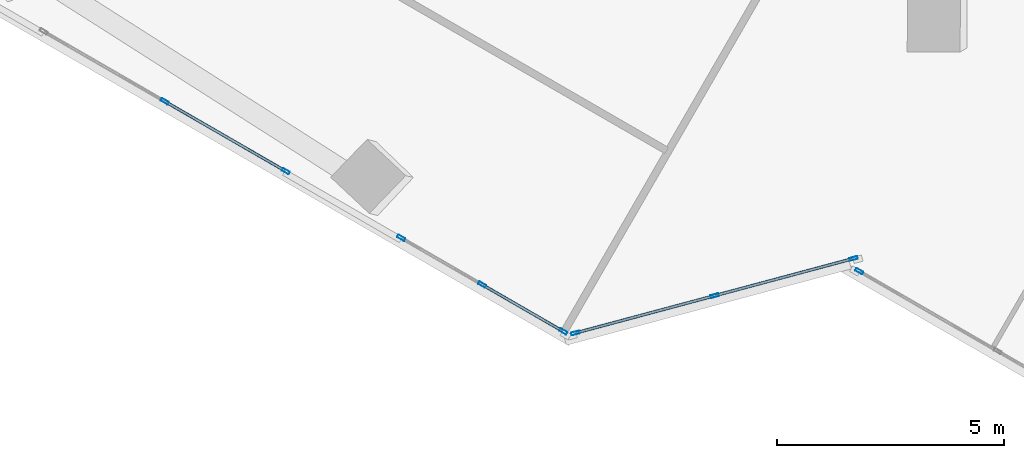
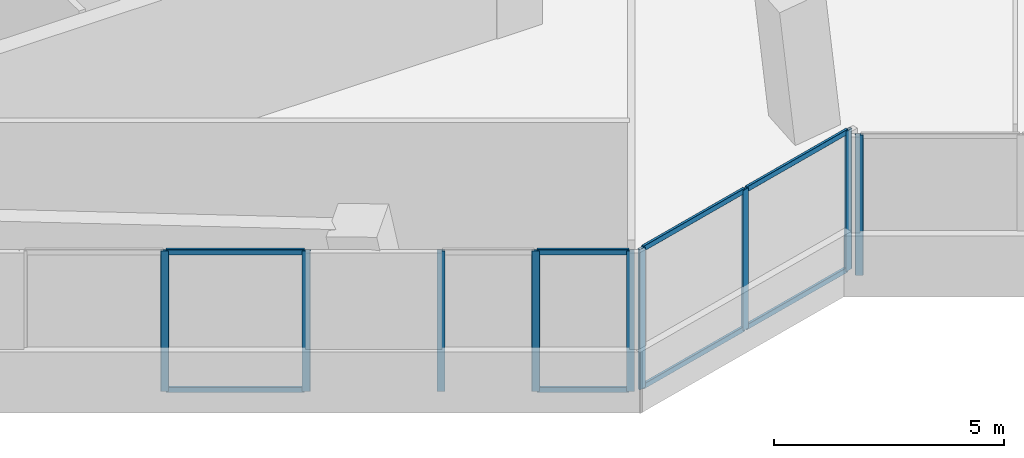
# One storey, part 4 of 22: 17 members, 4 elements without a shape of their own.
"""IFC4 building model written with IfcOpenShell, lengths in metres."""

from ifc_helpers import new_model, si_unit, direction, frame, origin, origin_2d, place, context, subcontext, project, spatial, hollow_rectangle, extrude, source, transform, mapped, material, material_profile, profile_set, type_object, element, aggregate, save


model = new_model("IFC4")

# Units and contexts
model_context = context("Model", 3, precision=1e-05, world=origin(), true_north=direction((0.0, 1.0)))
body_context = subcontext(model_context, "Body", "Model", "MODEL_VIEW")
ifc_project = project(units=[si_unit("LENGTHUNIT", "METRE"), si_unit("AREAUNIT", "SQUARE_METRE"), si_unit("VOLUMEUNIT", "CUBIC_METRE"), si_unit("PLANEANGLEUNIT", "RADIAN"), si_unit("MASSUNIT", "GRAM", prefix="KILO")], contexts=[model_context])

# Site, building, storey
site_placement = place(None, origin())
site = spatial("IfcSite", under=ifc_project, at=site_placement, CompositionType="ELEMENT")
building_placement = place(site_placement, origin())
building = spatial("IfcBuilding", under=site, at=building_placement, Name="Torre Montelarca", CompositionType="ELEMENT")
storey_placement = place(building_placement, frame((0.0, 0.0, 183.39990234375)))
storey = spatial("IfcBuildingStorey", under=building, at=storey_placement, Name="L41", CompositionType="ELEMENT", Elevation=183.39990234375)

# Curtain wall, members
ifc_material_1 = material(Name="Insulated low-E laminated glass", Category="glass")
curtain_wall_type = type_object("IfcCurtainWallType", Name="CW-SYS-Z2", PredefinedType="USERDEFINED", material=ifc_material_1)
curtain_wall_1_placement = place(storey_placement, origin())
curtain_wall_1 = element("IfcCurtainWall", 1, at=curtain_wall_1_placement, inside=storey, type_object=curtain_wall_type, Name="L41 Curtain Wall Run CW-T3-L41-E02-B1", ObjectType="UNITISED GLAZING", PredefinedType="USERDEFINED")
ifc_material_2 = material(Name="Anodised aluminium AA 6063-T6", Category="aluminium")
ifc_material_profile_1 = material_profile(ifc_material_2, hollow_rectangle(XDim=0.06494140625, YDim=0.139892578125, WallThickness=0.00390625, InnerFilletRadius=0.00390625, OuterFilletRadius=0.008056640625, at=origin_2d()), Name="ALU65X140X4", Category="aluminium")
ifc_profile_set_1 = profile_set([ifc_material_profile_1], Name="Anodised aluminium AA 6063-T6")
member_type_1 = type_object("IfcMemberType", Name="CWT-ALU140", PredefinedType="USERDEFINED", material=ifc_profile_set_1)
shared_shape_1 = source(origin(), body_context, "Body", "SweptSolid", [
    extrude(hollow_rectangle(XDim=0.06494140625, YDim=0.139892578125, WallThickness=0.00390625, InnerFilletRadius=0.00390625, OuterFilletRadius=0.008056640625, at=origin_2d()), origin(), (0.0, 0.0, 1.0), 3.102294921875),
])
member_1_placement = place(storey_placement, frame((22.029052734375, 10.9736328125, 0.03271484375), z_axis=(0.965922056381, 0.258833114179, 0.0), x_axis=(-0.258833114179, 0.965922056381, 0.0)))
member_1 = element("IfcMember", 2, at=member_1_placement, type_object=member_type_1, Name="CW transom 1.1", ObjectType="TRANSOM", PredefinedType="USERDEFINED", context=body_context, shape_type="MappedRepresentation", body=[
    mapped(shared_shape_1, transform((0.0, 0.0, 0.0), scale=1.0)),
])
member_2_placement = place(storey_placement, frame((22.029052734375, 10.9736328125, 3.6875), z_axis=(0.965922056381, 0.258833114179, 0.0), x_axis=(-0.258833114179, 0.965922056381, 0.0)))
member_2 = element("IfcMember", 3, at=member_2_placement, type_object=member_type_1, Name="CW transom 1.2", ObjectType="TRANSOM", PredefinedType="USERDEFINED", context=body_context, shape_type="MappedRepresentation", body=[
    mapped(shared_shape_1, transform((0.0, 0.0, 0.0), scale=1.0)),
])
shared_shape_2 = source(origin(), body_context, "Body", "SweptSolid", [
    extrude(hollow_rectangle(XDim=0.06494140625, YDim=0.139892578125, WallThickness=0.00390625, InnerFilletRadius=0.00390625, OuterFilletRadius=0.008056640625, at=origin_2d()), origin(), (0.0, 0.0, 1.0), 3.1025390625),
])
member_3_placement = place(storey_placement, frame((25.08837890625, 11.79345703125, 0.03271484375), z_axis=(0.965927328026, 0.258813440479, 0.0), x_axis=(-0.258813440479, 0.965927328026, 0.0)))
member_3 = element("IfcMember", 4, at=member_3_placement, type_object=member_type_1, Name="CW transom 2.1", ObjectType="TRANSOM", PredefinedType="USERDEFINED", context=body_context, shape_type="MappedRepresentation", body=[
    mapped(shared_shape_2, transform((0.0, 0.0, 0.0), scale=1.0)),
])
member_4_placement = place(storey_placement, frame((25.08837890625, 11.79345703125, 3.6875), z_axis=(0.965927328026, 0.258813440479, 0.0), x_axis=(-0.258813440479, 0.965927328026, 0.0)))
member_4 = element("IfcMember", 5, at=member_4_placement, type_object=member_type_1, Name="CW transom 2.2", ObjectType="TRANSOM", PredefinedType="USERDEFINED", context=body_context, shape_type="MappedRepresentation", body=[
    mapped(shared_shape_2, transform((0.0, 0.0, 0.0), scale=1.0)),
])

curtain_wall_2_placement = place(storey_placement, origin())
curtain_wall_2 = element("IfcCurtainWall", 6, at=curtain_wall_2_placement, inside=storey, type_object=curtain_wall_type, Name="L41 Curtain Wall Run CW-T3-L41-E01-B2", ObjectType="UNITISED GLAZING", PredefinedType="USERDEFINED")
ifc_material_profile_2 = material_profile(ifc_material_2, hollow_rectangle(XDim=0.06494140625, YDim=0.179931640625, WallThickness=0.00390625, InnerFilletRadius=0.00390625, OuterFilletRadius=0.008056640625, at=origin_2d()), Name="ALU65X180X4", Category="aluminium")
ifc_profile_set_2 = profile_set([ifc_material_profile_2], Name="Anodised aluminium AA 6063-T6")
member_type_2 = type_object("IfcMemberType", Name="CWM-ALU180", PredefinedType="MULLION", material=ifc_profile_set_2)
shared_shape_3 = source(origin(), body_context, "Body", "SweptSolid", [
    extrude(hollow_rectangle(XDim=0.06494140625, YDim=0.179931640625, WallThickness=0.00390625, InnerFilletRadius=0.00390625, OuterFilletRadius=0.008056640625, at=origin_2d()), origin(), (0.0, 0.0, 1.0), 3.72021484375),
])
member_5_placement = place(storey_placement, frame((12.971435546875, 16.05859375, 0.0), z_axis=(0.0, 0.0, 1.0), x_axis=(0.499992897024, 0.866029504651, 0.0)))
member_5 = element("IfcMember", 7, at=member_5_placement, type_object=member_type_2, Name="CW mullion 2", PredefinedType="MULLION", context=body_context, shape_type="MappedRepresentation", body=[
    mapped(shared_shape_3, transform((0.0, 0.0, 0.0), scale=1.0)),
])
member_6_placement = place(storey_placement, frame((15.632080078125, 14.5224609375, 0.0), z_axis=(0.0, 0.0, 1.0), x_axis=(0.499992897024, 0.866029504651, 0.0)))
member_6 = element("IfcMember", 8, at=member_6_placement, type_object=member_type_2, Name="CW mullion 3", PredefinedType="MULLION", context=body_context, shape_type="MappedRepresentation", body=[
    mapped(shared_shape_3, transform((0.0, 0.0, 0.0), scale=1.0)),
])

curtain_wall_3_placement = place(storey_placement, origin())
curtain_wall_3 = element("IfcCurtainWall", 9, at=curtain_wall_3_placement, inside=storey, type_object=curtain_wall_type, Name="L41 Curtain Wall Run CW-T3-L41-E01-B3", ObjectType="UNITISED GLAZING", PredefinedType="USERDEFINED")
member_7_placement = place(storey_placement, frame((18.169921875, 13.05712890625, 0.0), z_axis=(0.0, 0.0, 1.0), x_axis=(0.499988951866, 0.866031782334, 0.0)))
member_7 = element("IfcMember", 10, at=member_7_placement, type_object=member_type_2, Name="CW mullion 1", PredefinedType="MULLION", context=body_context, shape_type="MappedRepresentation", body=[
    mapped(shared_shape_3, transform((0.0, 0.0, 0.0), scale=1.0)),
])
member_8_placement = place(storey_placement, frame((19.951416015625, 12.028564453125, 0.0), z_axis=(0.0, 0.0, 1.0), x_axis=(0.499988951866, 0.866031782334, 0.0)))
member_8 = element("IfcMember", 11, at=member_8_placement, type_object=member_type_2, Name="CW mullion 2", PredefinedType="MULLION", context=body_context, shape_type="MappedRepresentation", body=[
    mapped(shared_shape_3, transform((0.0, 0.0, 0.0), scale=1.0)),
])
member_9_placement = place(storey_placement, frame((21.73291015625, 11.0, 0.0), z_axis=(0.0, 0.0, 1.0), x_axis=(0.499988951866, 0.866031782334, 0.0)))
member_9 = element("IfcMember", 12, at=member_9_placement, type_object=member_type_2, Name="CW mullion 3", PredefinedType="MULLION", context=body_context, shape_type="MappedRepresentation", body=[
    mapped(shared_shape_3, transform((0.0, 0.0, 0.0), scale=1.0)),
])

# Member
member_10_placement = place(storey_placement, frame((21.997802734375, 10.96533203125, 0.0), z_axis=(0.0, 0.0, 1.0), x_axis=(-0.258825645334, 0.965924057738, 0.0)))
member_10 = element("IfcMember", 13, at=member_10_placement, type_object=member_type_2, Name="CW mullion 1", PredefinedType="MULLION", context=body_context, shape_type="MappedRepresentation", body=[
    mapped(shared_shape_3, transform((0.0, 0.0, 0.0), scale=1.0)),
])

member_11_placement = place(storey_placement, frame((25.05712890625, 11.784912109375, 0.0), z_axis=(0.0, 0.0, 1.0), x_axis=(-0.258825645334, 0.965924057738, 0.0)))
member_11 = element("IfcMember", 14, at=member_11_placement, type_object=member_type_2, Name="CW mullion 2", PredefinedType="MULLION", context=body_context, shape_type="MappedRepresentation", body=[
    mapped(shared_shape_3, transform((0.0, 0.0, 0.0), scale=1.0)),
])

member_12_placement = place(storey_placement, frame((28.116455078125, 12.604736328125, 0.0), z_axis=(0.0, 0.0, 1.0), x_axis=(-0.258825645334, 0.965924057738, 0.0)))
member_12 = element("IfcMember", 15, at=member_12_placement, type_object=member_type_2, Name="CW mullion 3", PredefinedType="MULLION", context=body_context, shape_type="MappedRepresentation", body=[
    mapped(shared_shape_3, transform((0.0, 0.0, 0.0), scale=1.0)),
])

aggregate(curtain_wall_1, [member_10, member_11, member_12, member_1, member_2, member_3, member_4])

# Curtain wall, member
curtain_wall_4_placement = place(storey_placement, origin())
curtain_wall_4 = element("IfcCurtainWall", 16, at=curtain_wall_4_placement, inside=storey, type_object=curtain_wall_type, Name="L41 Curtain Wall Run CW-T3-L41-E04-B1", ObjectType="UNITISED GLAZING", PredefinedType="USERDEFINED")
member_13_placement = place(storey_placement, frame((28.239501953125, 12.32421875, 0.0), z_axis=(0.0, 0.0, 1.0), x_axis=(0.499995443442, 0.866028034499, 0.0)))
member_13 = element("IfcMember", 17, at=member_13_placement, type_object=member_type_2, Name="CW mullion 1", PredefinedType="MULLION", context=body_context, shape_type="MappedRepresentation", body=[
    mapped(shared_shape_3, transform((0.0, 0.0, 0.0), scale=1.0)),
])
aggregate(curtain_wall_4, [member_13])

# Member
shared_shape_4 = source(origin(), body_context, "Body", "SweptSolid", [
    extrude(hollow_rectangle(XDim=0.06494140625, YDim=0.139892578125, WallThickness=0.00390625, InnerFilletRadius=0.00390625, OuterFilletRadius=0.008056640625, at=origin_2d()), origin(), (0.0, 0.0, 1.0), 1.9921875),
])
member_14_placement = place(storey_placement, frame((19.9794921875, 12.012451171875, 0.03271484375), z_axis=(0.866032532966, -0.499987651691, 0.0), x_axis=(0.499987651691, 0.866032532966, 0.0)))
member_14 = element("IfcMember", 18, at=member_14_placement, type_object=member_type_1, Name="CW transom 2.1", ObjectType="TRANSOM", PredefinedType="USERDEFINED", context=body_context, shape_type="MappedRepresentation", body=[
    mapped(shared_shape_4, transform((0.0, 0.0, 0.0), scale=1.0)),
])

member_15_placement = place(storey_placement, frame((19.9794921875, 12.012451171875, 3.6875), z_axis=(0.866032532966, -0.499987651691, 0.0), x_axis=(0.499987651691, 0.866032532966, 0.0)))
member_15 = element("IfcMember", 19, at=member_15_placement, type_object=member_type_1, Name="CW transom 2.2", ObjectType="TRANSOM", PredefinedType="USERDEFINED", context=body_context, shape_type="MappedRepresentation", body=[
    mapped(shared_shape_4, transform((0.0, 0.0, 0.0), scale=1.0)),
])

aggregate(curtain_wall_3, [member_7, member_8, member_9, member_14, member_15])

shared_shape_5 = source(origin(), body_context, "Body", "SweptSolid", [
    extrude(hollow_rectangle(XDim=0.06494140625, YDim=0.139892578125, WallThickness=0.00390625, InnerFilletRadius=0.00390625, OuterFilletRadius=0.008056640625, at=origin_2d()), origin(), (0.0, 0.0, 1.0), 3.00732421875),
])
member_16_placement = place(storey_placement, frame((12.99951171875, 16.042236328125, 0.03271484375), z_axis=(0.86606662439, -0.499928597019, 0.0), x_axis=(0.499928597019, 0.86606662439, 0.0)))
member_16 = element("IfcMember", 20, at=member_16_placement, type_object=member_type_1, Name="CW transom 2.1", ObjectType="TRANSOM", PredefinedType="USERDEFINED", context=body_context, shape_type="MappedRepresentation", body=[
    mapped(shared_shape_5, transform((0.0, 0.0, 0.0), scale=1.0)),
])

member_17_placement = place(storey_placement, frame((12.99951171875, 16.042236328125, 3.6875), z_axis=(0.86606662439, -0.499928597019, 0.0), x_axis=(0.499928597019, 0.86606662439, 0.0)))
member_17 = element("IfcMember", 21, at=member_17_placement, type_object=member_type_1, Name="CW transom 2.2", ObjectType="TRANSOM", PredefinedType="USERDEFINED", context=body_context, shape_type="MappedRepresentation", body=[
    mapped(shared_shape_5, transform((0.0, 0.0, 0.0), scale=1.0)),
])

aggregate(curtain_wall_2, [member_5, member_6, member_16, member_17])

save(model, "model.ifc")
